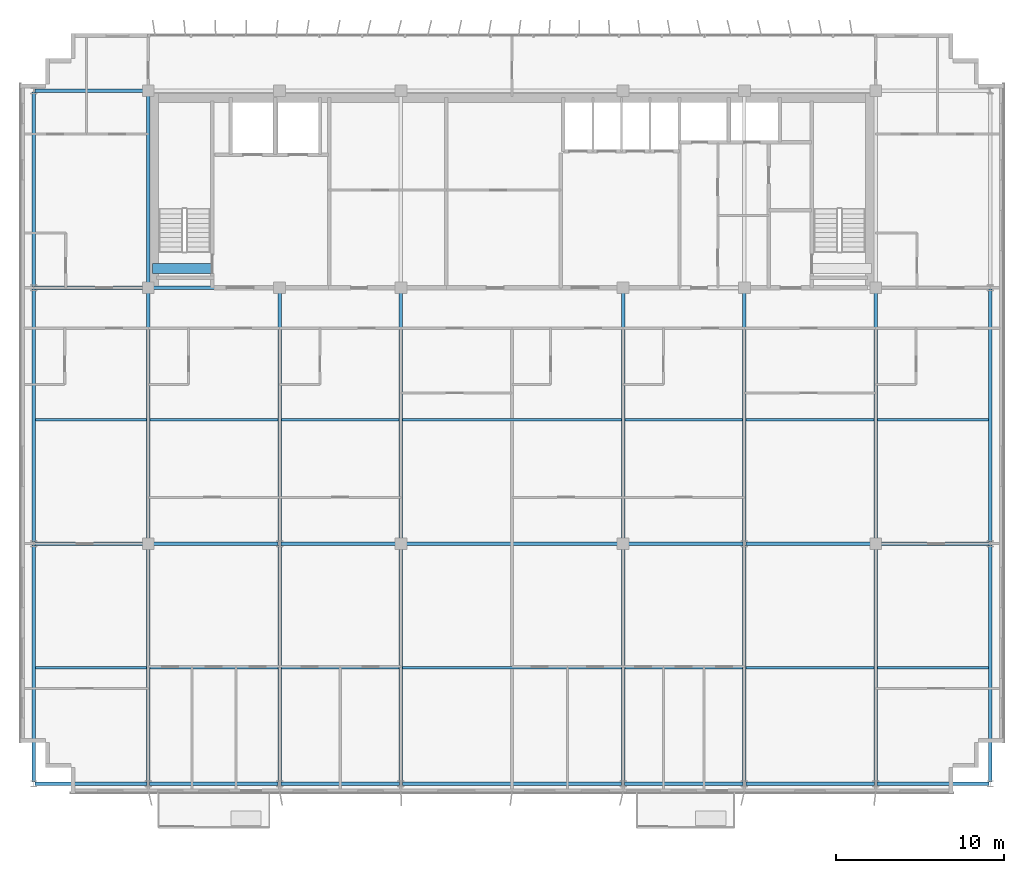
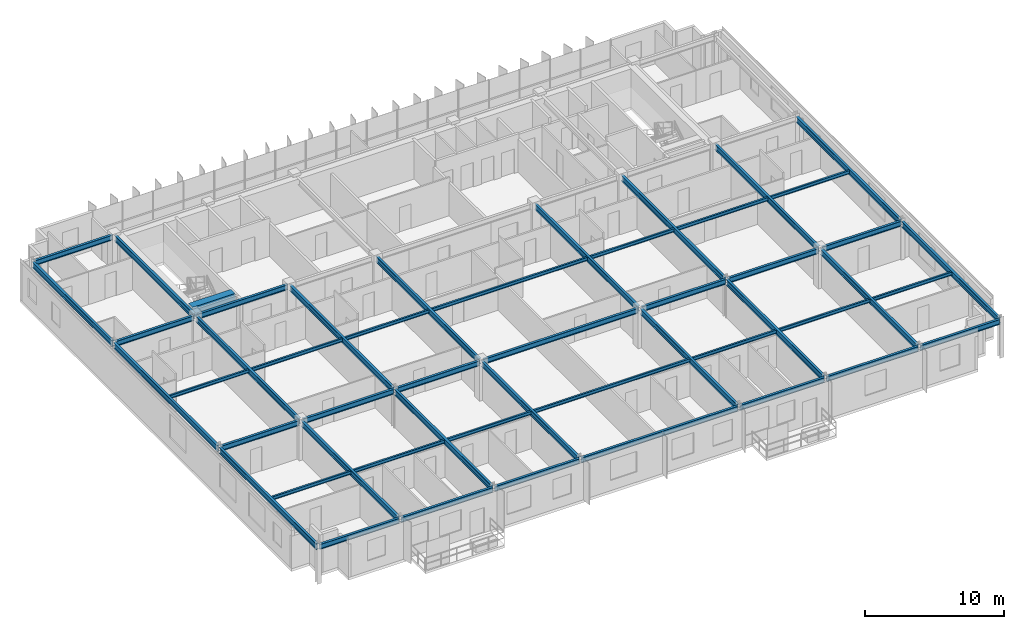
# One storey, part 5 of 23: 50 beams.
"""IFC4 building model written with IfcOpenShell, lengths in metres."""

from ifc_helpers import new_model, si_unit, direction, frame, origin, origin_2d, place, context, subcontext, project, spatial, rectangle, i_section, extrude, source, transform, mapped, material, material_profile, profile_set, type_object, element, save


model = new_model("IFC4")

# Units and contexts
model_context = context("Model", 3, precision=1e-05, world=origin(), true_north=direction((0.0, 1.0)))
body_context = subcontext(model_context, "Body", "Model", "MODEL_VIEW")
ifc_project = project(units=[si_unit("LENGTHUNIT", "METRE"), si_unit("AREAUNIT", "SQUARE_METRE"), si_unit("VOLUMEUNIT", "CUBIC_METRE"), si_unit("PLANEANGLEUNIT", "RADIAN"), si_unit("MASSUNIT", "GRAM", prefix="KILO")], contexts=[model_context])

# Site, building, storey
site_placement = place(None, origin())
site = spatial("IfcSite", under=ifc_project, at=site_placement, CompositionType="ELEMENT")
building_placement = place(site_placement, origin())
building = spatial("IfcBuilding", under=site, at=building_placement, Name="Trelvane Seafront Commons", CompositionType="ELEMENT")
storey_placement = place(building_placement, frame((0.0, 0.0, 226.5)))
storey = spatial("IfcBuildingStorey", under=building, at=storey_placement, Name="L59", CompositionType="ELEMENT", Elevation=226.5)

# Beams
ifc_material_1 = material(Name="Concrete C60/75", Category="concrete")
ifc_material_profile_1 = material_profile(ifc_material_1, rectangle(XDim=0.60009765625, YDim=0.89990234375, at=origin_2d()), Name="RC-600x900")
ifc_profile_set_1 = profile_set([ifc_material_profile_1], Name="Concrete C60/75")
beam_type_1 = type_object("IfcBeamType", Name="STR-LNT-RC600x900", PredefinedType="LINTEL", material=ifc_profile_set_1)
shared_shape_1 = source(origin(), body_context, "Body", "SweptSolid", [
    extrude(rectangle(XDim=0.60009765625, YDim=0.89990234375, at=origin_2d()), origin(), (0.0, 0.0, 1.0), 3.5498046875),
])
beam_1_placement = place(storey_placement, frame((15.85009765625, 34.550048828125, 2.909912109375), z_axis=(1.0, 0.0, 0.0), x_axis=(0.0, 1.0, 0.0)))
element("IfcBeam", 1, at=beam_1_placement, inside=storey, type_object=beam_type_1, Name="L59 Core Coupling Lintel Beam CB-67", PredefinedType="LINTEL", context=body_context, shape_type="MappedRepresentation", body=[
    mapped(shared_shape_1, transform((0.0, 0.0, 0.0), x_axis=(1.0, 0.0, 0.0), y_axis=(0.0, 1.0, 0.0), z_axis=(0.0, 0.0, 1.0), scale=1.0)),
])
ifc_material_2 = material(Name="Steel SM355 (S355)", Category="steel")
ifc_material_profile_2 = material_profile(ifc_material_2, i_section(OverallWidth=0.199951171875, OverallDepth=0.5, WebThickness=0.010009765625, FlangeThickness=0.01611328125, at=origin_2d()), Name="H-500x200x10x16")
ifc_profile_set_2 = profile_set([ifc_material_profile_2], Name="Steel SM355 (S355)")
beam_type_2 = type_object("IfcBeamType", Name="STR-BM-H500", PredefinedType="BEAM", material=ifc_profile_set_2)
shared_shape_2 = source(origin(), body_context, "Body", "SweptSolid", [
    extrude(i_section(OverallWidth=0.199951171875, OverallDepth=0.5, WebThickness=0.010009765625, FlangeThickness=0.01611328125, at=origin_2d()), origin(), (0.0, 0.0, 1.0), 14.89990234375),
])
for number, where, z_axis, x_axis, name in (
    (2, (15.60009765625, 18.35009765625, 3.110107421875), (0.0, 1.0, 0.0), (-1.0, 0.0, 0.0), "L59 Primary Girder G-33"),
    (3, (30.60009765625, 18.35009765625, 3.110107421875), (0.0, 1.0, 0.0), (-1.0, 0.0, 0.0), "L59 Primary Girder G-39"),
    (4, (43.800048828125, 18.35009765625, 3.110107421875), (0.0, 1.0, 0.0), (-1.0, 0.0, 0.0), "L59 Primary Girder G-42"),
    (5, (58.800048828125, 18.35009765625, 3.110107421875), (0.0, 1.0, 0.0), (-1.0, 0.0, 0.0), "L59 Primary Girder G-48"),
):
    element("IfcBeam", number, at=place(storey_placement, frame(where, z_axis=z_axis, x_axis=x_axis)), inside=storey, type_object=beam_type_2, Name=name, PredefinedType="BEAM", context=body_context, shape_type="MappedRepresentation", body=[
        mapped(shared_shape_2, transform((0.0, 0.0, 0.0), x_axis=(1.0, 0.0, 0.0), y_axis=(0.0, 1.0, 0.0), z_axis=(0.0, 0.0, 1.0), scale=1.0)),
    ])
shared_shape_3 = source(origin(), body_context, "Body", "SweptSolid", [
    extrude(i_section(OverallWidth=0.199951171875, OverallDepth=0.5, WebThickness=0.010009765625, FlangeThickness=0.01611328125, at=origin_2d()), origin(), (0.0, 0.0, 1.0), 11.39990234375),
])
beam_2_placement = place(storey_placement, frame((15.60009765625, 33.550048828125, 3.110107421875), z_axis=(0.0, 1.0, 0.0), x_axis=(-1.0, 0.0, 0.0)))
element("IfcBeam", 6, at=beam_2_placement, inside=storey, type_object=beam_type_2, Name="L59 Primary Girder G-34", PredefinedType="BEAM", context=body_context, shape_type="MappedRepresentation", body=[
    mapped(shared_shape_3, transform((0.0, 0.0, 0.0), x_axis=(1.0, 0.0, 0.0), y_axis=(0.0, 1.0, 0.0), z_axis=(0.0, 0.0, 1.0), scale=1.0)),
])
ifc_material_profile_3 = material_profile(ifc_material_2, i_section(OverallWidth=0.199951171875, OverallDepth=0.449951171875, WebThickness=0.009033203125, FlangeThickness=0.013916015625, at=origin_2d()), Name="H-450x200x9x14")
ifc_profile_set_3 = profile_set([ifc_material_profile_3], Name="Steel SM355 (S355)")
beam_type_3 = type_object("IfcBeamType", Name="STR-SPD-H450", PredefinedType="SPANDREL", material=ifc_profile_set_3)
shared_shape_4 = source(origin(), body_context, "Body", "SweptSolid", [
    extrude(i_section(OverallWidth=0.199951171875, OverallDepth=0.449951171875, WebThickness=0.009033203125, FlangeThickness=0.013916015625, at=origin_2d()), origin(), (0.0, 0.0, 1.0), 6.625),
])
for number, where, z_axis, x_axis, name in (
    (7, (8.887451171875, 3.949951171875, 3.135009765625), (1.0, 0.0, 0.0), (0.0, 1.0, 0.0), "L59 Primary Girder G-01"),
    (8, (58.887451171875, 3.949951171875, 3.135009765625), (1.0, 0.0, 0.0), (0.0, 1.0, 0.0), "L59 Primary Girder G-07"),
):
    element("IfcBeam", number, at=place(storey_placement, frame(where, z_axis=z_axis, x_axis=x_axis)), inside=storey, type_object=beam_type_3, Name=name, PredefinedType="SPANDREL", context=body_context, shape_type="MappedRepresentation", body=[
        mapped(shared_shape_4, transform((0.0, 0.0, 0.0), x_axis=(1.0, 0.0, 0.0), y_axis=(0.0, 1.0, 0.0), z_axis=(0.0, 0.0, 1.0), scale=1.0)),
    ])
shared_shape_5 = source(origin(), body_context, "Body", "SweptSolid", [
    extrude(i_section(OverallWidth=0.199951171875, OverallDepth=0.449951171875, WebThickness=0.009033203125, FlangeThickness=0.013916015625, at=origin_2d()), origin(), (0.0, 0.0, 1.0), 7.625),
])
for number, where, z_axis, x_axis, name in (
    (9, (15.6875, 3.949951171875, 3.135009765625), (1.0, 0.0, 0.0), (0.0, 1.0, 0.0), "L59 Primary Girder G-02"),
    (10, (51.08740234375, 3.949951171875, 3.135009765625), (1.0, 0.0, 0.0), (0.0, 1.0, 0.0), "L59 Primary Girder G-06"),
):
    element("IfcBeam", number, at=place(storey_placement, frame(where, z_axis=z_axis, x_axis=x_axis)), inside=storey, type_object=beam_type_3, Name=name, PredefinedType="SPANDREL", context=body_context, shape_type="MappedRepresentation", body=[
        mapped(shared_shape_5, transform((0.0, 0.0, 0.0), x_axis=(1.0, 0.0, 0.0), y_axis=(0.0, 1.0, 0.0), z_axis=(0.0, 0.0, 1.0), scale=1.0)),
    ])
shared_shape_6 = source(origin(), body_context, "Body", "SweptSolid", [
    extrude(i_section(OverallWidth=0.199951171875, OverallDepth=0.449951171875, WebThickness=0.009033203125, FlangeThickness=0.013916015625, at=origin_2d()), origin(), (0.0, 0.0, 1.0), 7.02490234375),
])
beam_3_placement = place(storey_placement, frame((23.487548828125, 3.949951171875, 3.135009765625), z_axis=(1.0, 0.0, 0.0), x_axis=(0.0, 1.0, 0.0)))
element("IfcBeam", 11, at=beam_3_placement, inside=storey, type_object=beam_type_3, Name="L59 Primary Girder G-03", PredefinedType="SPANDREL", context=body_context, shape_type="MappedRepresentation", body=[
    mapped(shared_shape_6, transform((0.0, 0.0, 0.0), x_axis=(1.0, 0.0, 0.0), y_axis=(0.0, 1.0, 0.0), z_axis=(0.0, 0.0, 1.0), scale=1.0)),
])
shared_shape_7 = source(origin(), body_context, "Body", "SweptSolid", [
    extrude(i_section(OverallWidth=0.199951171875, OverallDepth=0.449951171875, WebThickness=0.009033203125, FlangeThickness=0.013916015625, at=origin_2d()), origin(), (0.0, 0.0, 1.0), 7.025146484375),
])
beam_4_placement = place(storey_placement, frame((43.887451171875, 3.949951171875, 3.135009765625), z_axis=(1.0, 0.0, 0.0), x_axis=(0.0, 1.0, 0.0)))
element("IfcBeam", 12, at=beam_4_placement, inside=storey, type_object=beam_type_3, Name="L59 Primary Girder G-05", PredefinedType="SPANDREL", context=body_context, shape_type="MappedRepresentation", body=[
    mapped(shared_shape_7, transform((0.0, 0.0, 0.0), x_axis=(1.0, 0.0, 0.0), y_axis=(0.0, 1.0, 0.0), z_axis=(0.0, 0.0, 1.0), scale=1.0)),
])
shared_shape_8 = source(origin(), body_context, "Body", "SweptSolid", [
    extrude(i_section(OverallWidth=0.199951171875, OverallDepth=0.449951171875, WebThickness=0.009033203125, FlangeThickness=0.013916015625, at=origin_2d()), origin(), (0.0, 0.0, 1.0), 6.5625),
])
for number, where, z_axis, x_axis, name in (
    (13, (8.887451171875, 18.199951171875, 3.135009765625), (1.0, 0.0, 0.0), (0.0, 1.0, 0.0), "L59 Primary Girder G-08"),
    (14, (58.949951171875, 18.199951171875, 3.135009765625), (1.0, 0.0, 0.0), (0.0, 1.0, 0.0), "L59 Primary Girder G-14"),
    (15, (8.887451171875, 33.39990234375, 3.135009765625), (1.0, 0.0, 0.0), (0.0, 1.0, 0.0), "L59 Primary Girder G-15"),
    (16, (8.887451171875, 45.10009765625, 3.135009765625), (1.0, 0.0, 0.0), (0.0, 1.0, 0.0), "L59 Primary Girder G-22"),
):
    element("IfcBeam", number, at=place(storey_placement, frame(where, z_axis=z_axis, x_axis=x_axis)), inside=storey, type_object=beam_type_3, Name=name, PredefinedType="SPANDREL", context=body_context, shape_type="MappedRepresentation", body=[
        mapped(shared_shape_8, transform((0.0, 0.0, 0.0), x_axis=(1.0, 0.0, 0.0), y_axis=(0.0, 1.0, 0.0), z_axis=(0.0, 0.0, 1.0), scale=1.0)),
    ])
shared_shape_9 = source(origin(), body_context, "Body", "SweptSolid", [
    extrude(i_section(OverallWidth=0.199951171875, OverallDepth=0.449951171875, WebThickness=0.009033203125, FlangeThickness=0.013916015625, at=origin_2d()), origin(), (0.0, 0.0, 1.0), 7.5625),
])
for number, where, z_axis, x_axis, name in (
    (17, (15.75, 18.199951171875, 3.135009765625), (1.0, 0.0, 0.0), (0.0, 1.0, 0.0), "L59 Primary Girder G-09"),
    (18, (51.08740234375, 18.199951171875, 3.135009765625), (1.0, 0.0, 0.0), (0.0, 1.0, 0.0), "L59 Primary Girder G-13"),
):
    element("IfcBeam", number, at=place(storey_placement, frame(where, z_axis=z_axis, x_axis=x_axis)), inside=storey, type_object=beam_type_3, Name=name, PredefinedType="SPANDREL", context=body_context, shape_type="MappedRepresentation", body=[
        mapped(shared_shape_9, transform((0.0, 0.0, 0.0), x_axis=(1.0, 0.0, 0.0), y_axis=(0.0, 1.0, 0.0), z_axis=(0.0, 0.0, 1.0), scale=1.0)),
    ])
shared_shape_10 = source(origin(), body_context, "Body", "SweptSolid", [
    extrude(i_section(OverallWidth=0.199951171875, OverallDepth=0.449951171875, WebThickness=0.009033203125, FlangeThickness=0.013916015625, at=origin_2d()), origin(), (0.0, 0.0, 1.0), 6.96240234375),
])
beam_5_placement = place(storey_placement, frame((23.487548828125, 18.199951171875, 3.135009765625), z_axis=(1.0, 0.0, 0.0), x_axis=(0.0, 1.0, 0.0)))
element("IfcBeam", 19, at=beam_5_placement, inside=storey, type_object=beam_type_3, Name="L59 Primary Girder G-10", PredefinedType="SPANDREL", context=body_context, shape_type="MappedRepresentation", body=[
    mapped(shared_shape_10, transform((0.0, 0.0, 0.0), x_axis=(1.0, 0.0, 0.0), y_axis=(0.0, 1.0, 0.0), z_axis=(0.0, 0.0, 1.0), scale=1.0)),
])
shared_shape_11 = source(origin(), body_context, "Body", "SweptSolid", [
    extrude(i_section(OverallWidth=0.199951171875, OverallDepth=0.449951171875, WebThickness=0.009033203125, FlangeThickness=0.013916015625, at=origin_2d()), origin(), (0.0, 0.0, 1.0), 6.962646484375),
])
beam_6_placement = place(storey_placement, frame((43.949951171875, 18.199951171875, 3.135009765625), z_axis=(1.0, 0.0, 0.0), x_axis=(0.0, 1.0, 0.0)))
element("IfcBeam", 20, at=beam_6_placement, inside=storey, type_object=beam_type_3, Name="L59 Primary Girder G-12", PredefinedType="SPANDREL", context=body_context, shape_type="MappedRepresentation", body=[
    mapped(shared_shape_11, transform((0.0, 0.0, 0.0), x_axis=(1.0, 0.0, 0.0), y_axis=(0.0, 1.0, 0.0), z_axis=(0.0, 0.0, 1.0), scale=1.0)),
])
shared_shape_12 = source(origin(), body_context, "Body", "SweptSolid", [
    extrude(i_section(OverallWidth=0.199951171875, OverallDepth=0.449951171875, WebThickness=0.009033203125, FlangeThickness=0.013916015625, at=origin_2d()), origin(), (0.0, 0.0, 1.0), 7.5),
])
beam_7_placement = place(storey_placement, frame((15.75, 33.39990234375, 3.135009765625), z_axis=(1.0, 0.0, 0.0), x_axis=(0.0, 1.0, 0.0)))
element("IfcBeam", 21, at=beam_7_placement, inside=storey, type_object=beam_type_3, Name="L59 Primary Girder G-16", PredefinedType="SPANDREL", context=body_context, shape_type="MappedRepresentation", body=[
    mapped(shared_shape_12, transform((0.0, 0.0, 0.0), x_axis=(1.0, 0.0, 0.0), y_axis=(0.0, 1.0, 0.0), z_axis=(0.0, 0.0, 1.0), scale=1.0)),
])
shared_shape_13 = source(origin(), body_context, "Body", "SweptSolid", [
    extrude(i_section(OverallWidth=0.199951171875, OverallDepth=0.449951171875, WebThickness=0.009033203125, FlangeThickness=0.013916015625, at=origin_2d()), origin(), (0.0, 0.0, 1.0), 12.89990234375),
])
beam_8_placement = place(storey_placement, frame((30.75, 18.199951171875, 3.135009765625), z_axis=(1.0, 0.0, 0.0), x_axis=(0.0, 1.0, 0.0)))
element("IfcBeam", 22, at=beam_8_placement, inside=storey, type_object=beam_type_3, Name="L59 Primary Girder G-11", PredefinedType="SPANDREL", context=body_context, shape_type="MappedRepresentation", body=[
    mapped(shared_shape_13, transform((0.0, 0.0, 0.0), x_axis=(1.0, 0.0, 0.0), y_axis=(0.0, 1.0, 0.0), z_axis=(0.0, 0.0, 1.0), scale=1.0)),
])
shared_shape_14 = source(origin(), body_context, "Body", "SweptSolid", [
    extrude(i_section(OverallWidth=0.199951171875, OverallDepth=0.5, WebThickness=0.010009765625, FlangeThickness=0.01611328125, at=origin_2d()), origin(), (0.0, 0.0, 1.0), 14.074951171875),
])
for number, where, z_axis, x_axis, name in (
    (23, (8.800048828125, 4.03759765625, 3.110107421875), (0.0, 1.0, 0.0), (-1.0, 0.0, 0.0), "L59 Primary Girder G-29"),
    (24, (23.39990234375, 4.03759765625, 3.110107421875), (0.0, 1.0, 0.0), (-1.0, 0.0, 0.0), "L59 Primary Girder G-35"),
    (25, (51.0, 4.03759765625, 3.110107421875), (0.0, 1.0, 0.0), (-1.0, 0.0, 0.0), "L59 Primary Girder G-44"),
    (26, (65.60009765625, 4.03759765625, 3.110107421875), (0.0, 1.0, 0.0), (-1.0, 0.0, 0.0), "L59 Primary Girder G-50"),
):
    element("IfcBeam", number, at=place(storey_placement, frame(where, z_axis=z_axis, x_axis=x_axis)), inside=storey, type_object=beam_type_2, Name=name, PredefinedType="BEAM", context=body_context, shape_type="MappedRepresentation", body=[
        mapped(shared_shape_14, transform((0.0, 0.0, 0.0), x_axis=(1.0, 0.0, 0.0), y_axis=(0.0, 1.0, 0.0), z_axis=(0.0, 0.0, 1.0), scale=1.0)),
    ])
shared_shape_15 = source(origin(), body_context, "Body", "SweptSolid", [
    extrude(i_section(OverallWidth=0.199951171875, OverallDepth=0.5, WebThickness=0.010009765625, FlangeThickness=0.01611328125, at=origin_2d()), origin(), (0.0, 0.0, 1.0), 15.02490234375),
])
for number, where, z_axis, x_axis, name in (
    (27, (8.800048828125, 18.28759765625, 3.110107421875), (0.0, 1.0, 0.0), (-1.0, 0.0, 0.0), "L59 Primary Girder G-30"),
    (28, (65.60009765625, 18.28759765625, 3.110107421875), (0.0, 1.0, 0.0), (-1.0, 0.0, 0.0), "L59 Primary Girder G-51"),
):
    element("IfcBeam", number, at=place(storey_placement, frame(where, z_axis=z_axis, x_axis=x_axis)), inside=storey, type_object=beam_type_2, Name=name, PredefinedType="BEAM", context=body_context, shape_type="MappedRepresentation", body=[
        mapped(shared_shape_15, transform((0.0, 0.0, 0.0), x_axis=(1.0, 0.0, 0.0), y_axis=(0.0, 1.0, 0.0), z_axis=(0.0, 0.0, 1.0), scale=1.0)),
    ])
shared_shape_16 = source(origin(), body_context, "Body", "SweptSolid", [
    extrude(i_section(OverallWidth=0.199951171875, OverallDepth=0.5, WebThickness=0.010009765625, FlangeThickness=0.01611328125, at=origin_2d()), origin(), (0.0, 0.0, 1.0), 11.52490234375),
])
beam_9_placement = place(storey_placement, frame((8.800048828125, 33.487548828125, 3.110107421875), z_axis=(0.0, 1.0, 0.0), x_axis=(-1.0, 0.0, 0.0)))
element("IfcBeam", 29, at=beam_9_placement, inside=storey, type_object=beam_type_2, Name="L59 Primary Girder G-31", PredefinedType="BEAM", context=body_context, shape_type="MappedRepresentation", body=[
    mapped(shared_shape_16, transform((0.0, 0.0, 0.0), x_axis=(1.0, 0.0, 0.0), y_axis=(0.0, 1.0, 0.0), z_axis=(0.0, 0.0, 1.0), scale=1.0)),
])
shared_shape_17 = source(origin(), body_context, "Body", "SweptSolid", [
    extrude(i_section(OverallWidth=0.199951171875, OverallDepth=0.5, WebThickness=0.010009765625, FlangeThickness=0.01611328125, at=origin_2d()), origin(), (0.0, 0.0, 1.0), 14.012451171875),
])
for number, where, z_axis, x_axis, name in (
    (30, (15.60009765625, 4.03759765625, 3.110107421875), (0.0, 1.0, 0.0), (-1.0, 0.0, 0.0), "L59 Primary Girder G-32"),
    (31, (30.60009765625, 4.03759765625, 3.110107421875), (0.0, 1.0, 0.0), (-1.0, 0.0, 0.0), "L59 Primary Girder G-38"),
    (32, (43.800048828125, 4.03759765625, 3.110107421875), (0.0, 1.0, 0.0), (-1.0, 0.0, 0.0), "L59 Primary Girder G-41"),
    (33, (58.800048828125, 4.03759765625, 3.110107421875), (0.0, 1.0, 0.0), (-1.0, 0.0, 0.0), "L59 Primary Girder G-47"),
):
    element("IfcBeam", number, at=place(storey_placement, frame(where, z_axis=z_axis, x_axis=x_axis)), inside=storey, type_object=beam_type_2, Name=name, PredefinedType="BEAM", context=body_context, shape_type="MappedRepresentation", body=[
        mapped(shared_shape_17, transform((0.0, 0.0, 0.0), x_axis=(1.0, 0.0, 0.0), y_axis=(0.0, 1.0, 0.0), z_axis=(0.0, 0.0, 1.0), scale=1.0)),
    ])
shared_shape_18 = source(origin(), body_context, "Body", "SweptSolid", [
    extrude(i_section(OverallWidth=0.199951171875, OverallDepth=0.5, WebThickness=0.010009765625, FlangeThickness=0.01611328125, at=origin_2d()), origin(), (0.0, 0.0, 1.0), 14.96240234375),
])
for number, where, z_axis, x_axis, name in (
    (34, (23.39990234375, 18.28759765625, 3.110107421875), (0.0, 1.0, 0.0), (-1.0, 0.0, 0.0), "L59 Primary Girder G-36"),
    (35, (51.0, 18.28759765625, 3.110107421875), (0.0, 1.0, 0.0), (-1.0, 0.0, 0.0), "L59 Primary Girder G-45"),
):
    element("IfcBeam", number, at=place(storey_placement, frame(where, z_axis=z_axis, x_axis=x_axis)), inside=storey, type_object=beam_type_2, Name=name, PredefinedType="BEAM", context=body_context, shape_type="MappedRepresentation", body=[
        mapped(shared_shape_18, transform((0.0, 0.0, 0.0), x_axis=(1.0, 0.0, 0.0), y_axis=(0.0, 1.0, 0.0), z_axis=(0.0, 0.0, 1.0), scale=1.0)),
    ])
ifc_material_profile_4 = material_profile(ifc_material_2, i_section(OverallWidth=0.14990234375, OverallDepth=0.300048828125, WebThickness=0.006591796875, FlangeThickness=0.009033203125, at=origin_2d()), Name="H-300x150x6.5x9")
ifc_profile_set_4 = profile_set([ifc_material_profile_4], Name="Steel SM355 (S355)")
beam_type_4 = type_object("IfcBeamType", Name="STR-JST-H300", PredefinedType="JOIST", material=ifc_profile_set_4)
shared_shape_19 = source(origin(), body_context, "Body", "SweptSolid", [
    extrude(i_section(OverallWidth=0.14990234375, OverallDepth=0.300048828125, WebThickness=0.006591796875, FlangeThickness=0.009033203125, at=origin_2d()), origin(), (0.0, 0.0, 1.0), 6.60009765625),
])
for number, where, z_axis, x_axis, name in (
    (36, (8.89990234375, 10.824951171875, 3.2099609375), (1.0, 0.0, 0.0), (0.0, 1.0, 0.0), "L59 Secondary Floor Joist B-53"),
    (37, (58.89990234375, 10.824951171875, 3.2099609375), (1.0, 0.0, 0.0), (0.0, 1.0, 0.0), "L59 Secondary Floor Joist B-59"),
    (38, (8.89990234375, 25.550048828125, 3.2099609375), (1.0, 0.0, 0.0), (0.0, 1.0, 0.0), "L59 Secondary Floor Joist B-60"),
    (39, (58.89990234375, 25.550048828125, 3.2099609375), (1.0, 0.0, 0.0), (0.0, 1.0, 0.0), "L59 Secondary Floor Joist B-66"),
):
    element("IfcBeam", number, at=place(storey_placement, frame(where, z_axis=z_axis, x_axis=x_axis)), inside=storey, type_object=beam_type_4, Name=name, PredefinedType="JOIST", context=body_context, shape_type="MappedRepresentation", body=[
        mapped(shared_shape_19, transform((0.0, 0.0, 0.0), x_axis=(1.0, 0.0, 0.0), y_axis=(0.0, 1.0, 0.0), z_axis=(0.0, 0.0, 1.0), scale=1.0)),
    ])
shared_shape_20 = source(origin(), body_context, "Body", "SweptSolid", [
    extrude(i_section(OverallWidth=0.14990234375, OverallDepth=0.300048828125, WebThickness=0.006591796875, FlangeThickness=0.009033203125, at=origin_2d()), origin(), (0.0, 0.0, 1.0), 7.60009765625),
])
for number, where, z_axis, x_axis, name in (
    (40, (15.699951171875, 10.824951171875, 3.2099609375), (1.0, 0.0, 0.0), (0.0, 1.0, 0.0), "L59 Secondary Floor Joist B-54"),
    (41, (15.699951171875, 25.550048828125, 3.2099609375), (1.0, 0.0, 0.0), (0.0, 1.0, 0.0), "L59 Secondary Floor Joist B-61"),
):
    element("IfcBeam", number, at=place(storey_placement, frame(where, z_axis=z_axis, x_axis=x_axis)), inside=storey, type_object=beam_type_4, Name=name, PredefinedType="JOIST", context=body_context, shape_type="MappedRepresentation", body=[
        mapped(shared_shape_20, transform((0.0, 0.0, 0.0), x_axis=(1.0, 0.0, 0.0), y_axis=(0.0, 1.0, 0.0), z_axis=(0.0, 0.0, 1.0), scale=1.0)),
    ])
shared_shape_21 = source(origin(), body_context, "Body", "SweptSolid", [
    extrude(i_section(OverallWidth=0.14990234375, OverallDepth=0.300048828125, WebThickness=0.006591796875, FlangeThickness=0.009033203125, at=origin_2d()), origin(), (0.0, 0.0, 1.0), 7.0),
])
for number, where, z_axis, x_axis, name in (
    (42, (23.5, 10.824951171875, 3.2099609375), (1.0, 0.0, 0.0), (0.0, 1.0, 0.0), "L59 Secondary Floor Joist B-55"),
    (43, (43.89990234375, 10.824951171875, 3.2099609375), (1.0, 0.0, 0.0), (0.0, 1.0, 0.0), "L59 Secondary Floor Joist B-57"),
    (44, (23.5, 25.550048828125, 3.2099609375), (1.0, 0.0, 0.0), (0.0, 1.0, 0.0), "L59 Secondary Floor Joist B-62"),
    (45, (43.89990234375, 25.550048828125, 3.2099609375), (1.0, 0.0, 0.0), (0.0, 1.0, 0.0), "L59 Secondary Floor Joist B-64"),
):
    element("IfcBeam", number, at=place(storey_placement, frame(where, z_axis=z_axis, x_axis=x_axis)), inside=storey, type_object=beam_type_4, Name=name, PredefinedType="JOIST", context=body_context, shape_type="MappedRepresentation", body=[
        mapped(shared_shape_21, transform((0.0, 0.0, 0.0), x_axis=(1.0, 0.0, 0.0), y_axis=(0.0, 1.0, 0.0), z_axis=(0.0, 0.0, 1.0), scale=1.0)),
    ])
shared_shape_22 = source(origin(), body_context, "Body", "SweptSolid", [
    extrude(i_section(OverallWidth=0.14990234375, OverallDepth=0.300048828125, WebThickness=0.006591796875, FlangeThickness=0.009033203125, at=origin_2d()), origin(), (0.0, 0.0, 1.0), 7.599853515625),
])
for number, where, z_axis, x_axis, name in (
    (46, (51.10009765625, 10.824951171875, 3.2099609375), (1.0, 0.0, 0.0), (0.0, 1.0, 0.0), "L59 Secondary Floor Joist B-58"),
    (47, (51.10009765625, 25.550048828125, 3.2099609375), (1.0, 0.0, 0.0), (0.0, 1.0, 0.0), "L59 Secondary Floor Joist B-65"),
):
    element("IfcBeam", number, at=place(storey_placement, frame(where, z_axis=z_axis, x_axis=x_axis)), inside=storey, type_object=beam_type_4, Name=name, PredefinedType="JOIST", context=body_context, shape_type="MappedRepresentation", body=[
        mapped(shared_shape_22, transform((0.0, 0.0, 0.0), x_axis=(1.0, 0.0, 0.0), y_axis=(0.0, 1.0, 0.0), z_axis=(0.0, 0.0, 1.0), scale=1.0)),
    ])
shared_shape_23 = source(origin(), body_context, "Body", "SweptSolid", [
    extrude(i_section(OverallWidth=0.14990234375, OverallDepth=0.300048828125, WebThickness=0.006591796875, FlangeThickness=0.009033203125, at=origin_2d()), origin(), (0.0, 0.0, 1.0), 13.0),
])
for number, where, z_axis, x_axis, name in (
    (48, (30.699951171875, 10.824951171875, 3.2099609375), (1.0, 0.0, 0.0), (0.0, 1.0, 0.0), "L59 Secondary Floor Joist B-56"),
    (49, (30.699951171875, 25.550048828125, 3.2099609375), (1.0, 0.0, 0.0), (0.0, 1.0, 0.0), "L59 Secondary Floor Joist B-63"),
):
    element("IfcBeam", number, at=place(storey_placement, frame(where, z_axis=z_axis, x_axis=x_axis)), inside=storey, type_object=beam_type_4, Name=name, PredefinedType="JOIST", context=body_context, shape_type="MappedRepresentation", body=[
        mapped(shared_shape_23, transform((0.0, 0.0, 0.0), x_axis=(1.0, 0.0, 0.0), y_axis=(0.0, 1.0, 0.0), z_axis=(0.0, 0.0, 1.0), scale=1.0)),
    ])
shared_shape_24 = source(origin(), body_context, "Body", "SweptSolid", [
    extrude(i_section(OverallWidth=0.199951171875, OverallDepth=0.449951171875, WebThickness=0.009033203125, FlangeThickness=0.013916015625, at=origin_2d()), origin(), (0.0, 0.0, 1.0), 13.02490234375),
])
beam_10_placement = place(storey_placement, frame((30.6875, 3.949951171875, 3.135009765625), z_axis=(1.0, 0.0, 0.0), x_axis=(0.0, 1.0, 0.0)))
element("IfcBeam", 50, at=beam_10_placement, inside=storey, type_object=beam_type_3, Name="L59 Primary Girder G-04", PredefinedType="SPANDREL", context=body_context, shape_type="MappedRepresentation", body=[
    mapped(shared_shape_24, transform((0.0, 0.0, 0.0), x_axis=(1.0, 0.0, 0.0), y_axis=(0.0, 1.0, 0.0), z_axis=(0.0, 0.0, 1.0), scale=1.0)),
])

save(model, "model.ifc")
